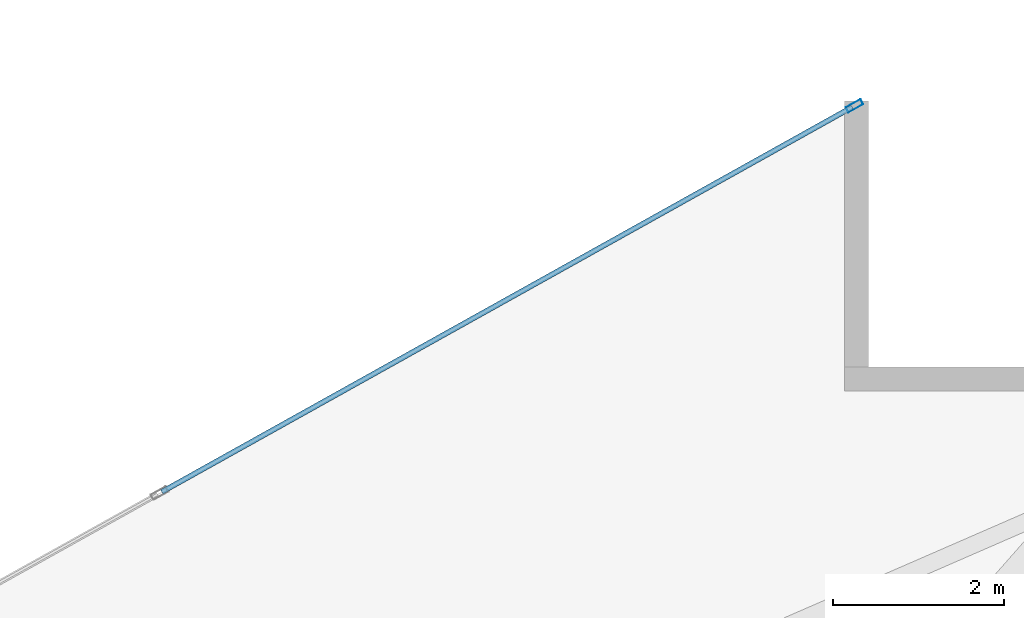
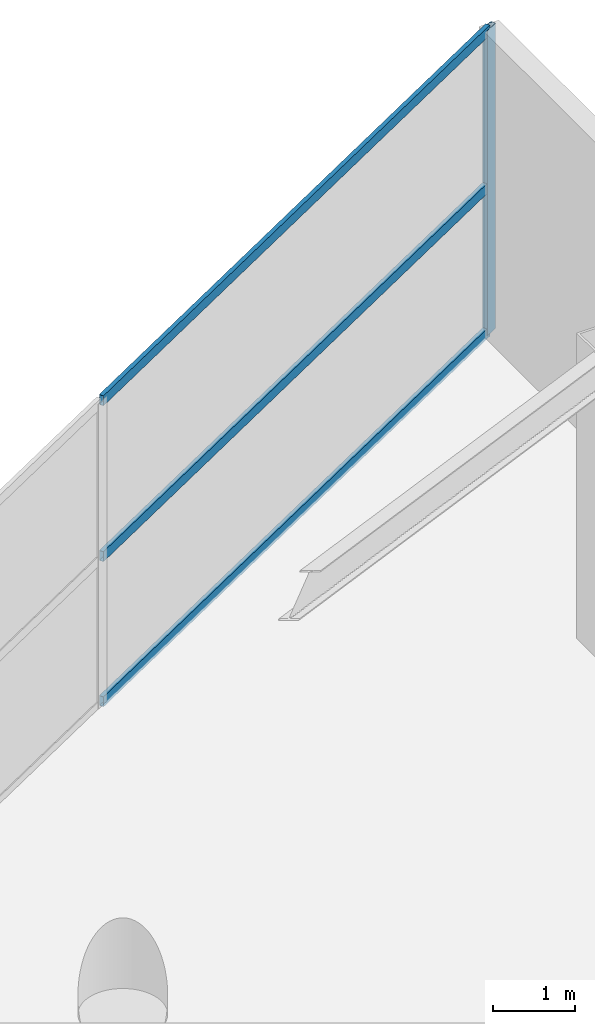
# One storey, part 10 of 19: 4 members, 1 element without a shape of its own.
"""IFC4 building model written with IfcOpenShell, lengths in metres."""

from ifc_helpers import new_model, si_unit, direction, frame, origin, origin_2d, place, context, subcontext, project, spatial, hollow_rectangle, extrude, material, layer, layer_set, material_profile, profile_set, type_object, element, aggregate, save


model = new_model("IFC4")

# Units and contexts
model_context = context("Model", 3, precision=1e-05, world=origin(), true_north=direction((0.0, 1.0)))
body_context = subcontext(model_context, "Body", "Model", "MODEL_VIEW")
ifc_project = project(units=[si_unit("LENGTHUNIT", "METRE"), si_unit("AREAUNIT", "SQUARE_METRE"), si_unit("VOLUMEUNIT", "CUBIC_METRE"), si_unit("PLANEANGLEUNIT", "RADIAN"), si_unit("MASSUNIT", "GRAM", prefix="KILO")], contexts=[model_context])

# Site, building, storey
site_placement = place(None, origin())
site = spatial("IfcSite", under=ifc_project, at=site_placement, CompositionType="ELEMENT")
building_placement = place(site_placement, origin())
building = spatial("IfcBuilding", under=site, at=building_placement, Name="Calvorn Quay Hotel", CompositionType="ELEMENT")
storey_placement = place(building_placement, frame((0.0, 0.0, 139.199951171875)))
storey = spatial("IfcBuildingStorey", under=building, at=storey_placement, Name="L34", CompositionType="ELEMENT", Elevation=139.199951171875)

# Curtain wall, members
ifc_material_1 = material(Name="Pale Anodised Aluminium and Low-E Glass", Category="aluminium")
ifc_layer = layer(ifc_material_1, 0.219970703125)
ifc_layer_set = layer_set([ifc_layer], Name="CW-SYS-Z2")
curtain_wall_type = type_object("IfcCurtainWallType", Name="CW-SYS-Z2", PredefinedType="NOTDEFINED", material=ifc_layer_set)
curtain_wall_placement = place(storey_placement, origin())
curtain_wall = element("IfcCurtainWall", 1, at=curtain_wall_placement, inside=storey, type_object=curtain_wall_type, Name="Inner Court Curtain Wall L34-NE1", PredefinedType="NOTDEFINED")
ifc_material_2 = material(Name="Pale Anodised Aluminium 6063-T6", Category="aluminium")
ifc_material_profile_1 = material_profile(ifc_material_2, hollow_rectangle(XDim=0.070068359375, YDim=0.199951171875, WallThickness=0.00390625, at=origin_2d()), Name="ALU-M200x70x4")
ifc_profile_set_1 = profile_set([ifc_material_profile_1], Name="Pale Anodised Aluminium 6063-T6")
member_type_1 = type_object("IfcMemberType", Name="CW-SYS-Z2-MUL", PredefinedType="MULLION", material=ifc_profile_set_1)
member_1_placement = place(storey_placement, frame((45.973876953125, 37.9853515625, 0.0), z_axis=(0.0, 0.0, 1.0), x_axis=(0.486858256224, -0.873480989116, 0.0)))
member_1 = element("IfcMember", 2, at=member_1_placement, type_object=member_type_1, Name="CW-L34-NE1 mullion 1", PredefinedType="MULLION", context=body_context, shape_type="SweptSolid", body=[
    extrude(hollow_rectangle(XDim=0.070068359375, YDim=0.199951171875, WallThickness=0.00390625, at=origin_2d()), origin(), (0.0, 0.0, 1.0), 4.56005859375),
])
ifc_material_3 = material(Name="Pale Anodised Aluminium 6063-T6", Category="aluminium")
ifc_material_profile_2 = material_profile(ifc_material_3, hollow_rectangle(XDim=0.06005859375, YDim=0.14990234375, WallThickness=0.00341796875, at=origin_2d()), Name="ALU-T150x60x3.5")
ifc_profile_set_2 = profile_set([ifc_material_profile_2], Name="Pale Anodised Aluminium 6063-T6")
member_type_2 = type_object("IfcMemberType", Name="CW-SYS-Z2-TRN", PredefinedType="USERDEFINED", material=ifc_profile_set_2)
member_2_placement = place(storey_placement, frame((45.947509765625, 37.970703125, 0.030029296875), z_axis=(-0.87348080454, -0.486858587375, 0.0), x_axis=(0.486858587375, -0.87348080454, 0.0)))
member_2 = element("IfcMember", 3, at=member_2_placement, type_object=member_type_2, Name="CW-L34-NE1 transom 1.1", ObjectType="TRANSOM", PredefinedType="USERDEFINED", context=body_context, shape_type="SweptSolid", body=[
    extrude(hollow_rectangle(XDim=0.06005859375, YDim=0.14990234375, WallThickness=0.00341796875, at=origin_2d()), origin(), (0.0, 0.0, 1.0), 9.221435546875),
])
member_3_placement = place(storey_placement, frame((45.947509765625, 37.970703125, 2.199951171875), z_axis=(-0.87348080454, -0.486858587375, 0.0), x_axis=(0.486858587375, -0.87348080454, 0.0)))
member_3 = element("IfcMember", 4, at=member_3_placement, type_object=member_type_2, Name="CW-L34-NE1 transom 1.2", ObjectType="TRANSOM", PredefinedType="USERDEFINED", context=body_context, shape_type="SweptSolid", body=[
    extrude(hollow_rectangle(XDim=0.06005859375, YDim=0.14990234375, WallThickness=0.00341796875, at=origin_2d()), origin(), (0.0, 0.0, 1.0), 9.221435546875),
])
member_4_placement = place(storey_placement, frame((45.947509765625, 37.970703125, 4.530029296875), z_axis=(-0.87348080454, -0.486858587375, 0.0), x_axis=(0.486858587375, -0.87348080454, 0.0)))
member_4 = element("IfcMember", 5, at=member_4_placement, type_object=member_type_2, Name="CW-L34-NE1 transom 1.3", ObjectType="TRANSOM", PredefinedType="USERDEFINED", context=body_context, shape_type="SweptSolid", body=[
    extrude(hollow_rectangle(XDim=0.06005859375, YDim=0.14990234375, WallThickness=0.00341796875, at=origin_2d()), origin(), (0.0, 0.0, 1.0), 9.221435546875),
])
aggregate(curtain_wall, [member_1, member_2, member_3, member_4])

save(model, "model.ifc")
